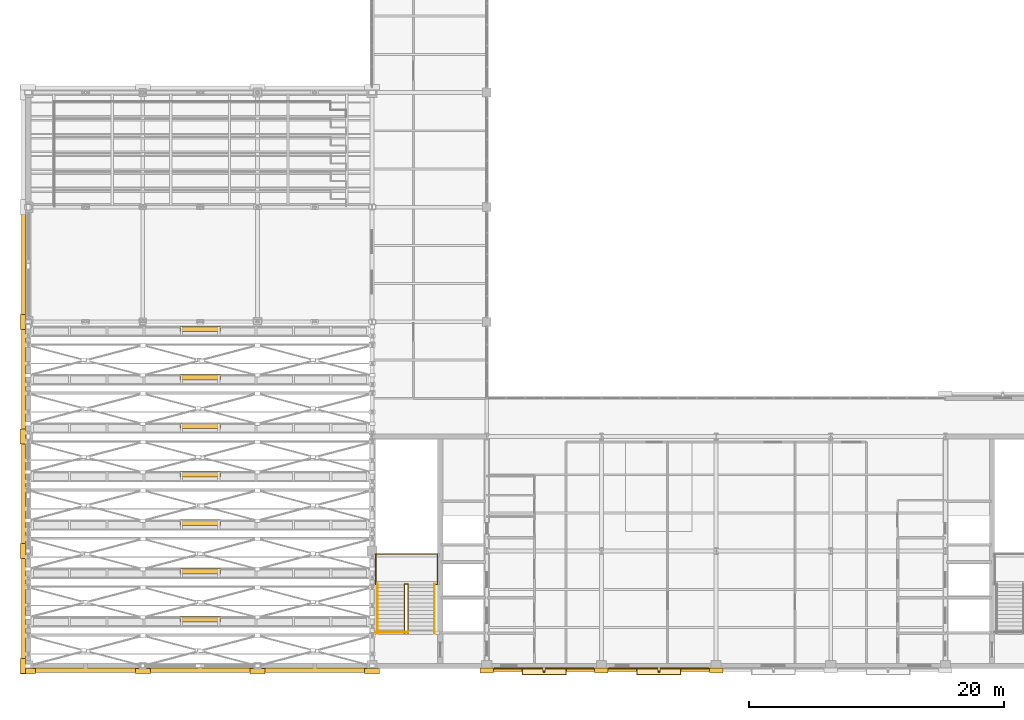
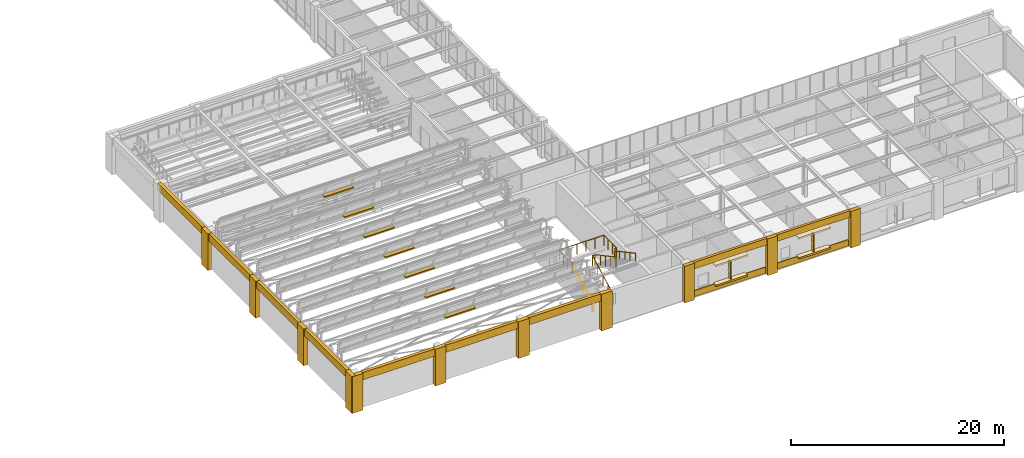
# One storey, part 101 of 108: 26 coverings, 9 shading devices, 5 railings.
"""IFC4 building model written with IfcOpenShell, lengths in metres."""

from ifc_helpers import new_model, si_unit, direction, frame, origin, origin_2d, place, context, subcontext, project, spatial, rectangle, circle, extrude, material, layer, layer_set, type_object, element, save


model = new_model("IFC4")

# Units and contexts
model_context = context("Model", 3, precision=1e-05, world=origin(), true_north=direction((0.0, 1.0)))
body_context = subcontext(model_context, "Body", "Model", "MODEL_VIEW")
ifc_project = project(units=[si_unit("LENGTHUNIT", "METRE"), si_unit("AREAUNIT", "SQUARE_METRE"), si_unit("VOLUMEUNIT", "CUBIC_METRE"), si_unit("PLANEANGLEUNIT", "RADIAN"), si_unit("MASSUNIT", "GRAM", prefix="KILO")], contexts=[model_context])

# Site, building, storey
site_placement = place(None, origin())
site = spatial("IfcSite", under=ifc_project, at=site_placement, CompositionType="ELEMENT")
building_placement = place(site_placement, origin())
building = spatial("IfcBuilding", under=site, at=building_placement, Name="Lykobir Media Centre", CompositionType="ELEMENT")
storey_placement = place(building_placement, frame((0.0, 0.0, 15.0)))
storey = spatial("IfcBuildingStorey", under=building, at=storey_placement, Name="L03", CompositionType="ELEMENT", Elevation=15.0)

# Coverings
ifc_material_1 = material(Name="Glazed Turquoise Terracotta", Category="masonry")
ifc_layer_1 = layer(ifc_material_1, 0.0400390625, Name="Glazed Turquoise Terracotta")
ifc_layer_set_1 = layer_set([ifc_layer_1], Name="Glazed Turquoise Terracotta")
covering_type_1 = type_object("IfcCoveringType", Name="CLD-TERR", PredefinedType="CLADDING", material=ifc_layer_set_1)
for number, where, z_axis, x_axis, name in (
    (1, (40.5, -0.196044921875, 0.080078125), (0.0, 0.0, 1.0), (1.0, 0.0, 0.0), "Facade spandrel apron 474"),
    (2, (49.5, -0.196044921875, 0.080078125), (0.0, 0.0, 1.0), (1.0, 0.0, 0.0), "Facade spandrel apron 479"),
):
    element("IfcCovering", number, at=place(storey_placement, frame(where, z_axis=z_axis, x_axis=x_axis)), inside=storey, type_object=covering_type_1, Name=name, PredefinedType="CLADDING", context=body_context, shape_type="SweptSolid", body=[
        extrude(rectangle(XDim=7.830078125, YDim=0.10009765625, at=origin_2d()), origin(), (0.0, 0.0, 1.0), 0.719970703125),
    ])
ifc_material_2 = material(Name="Honed Travertine Stone", Category="masonry")
ifc_layer_2 = layer(ifc_material_2, 0.050048828125, Name="Honed Travertine Stone")
ifc_layer_set_2 = layer_set([ifc_layer_2], Name="Honed Travertine Stone")
covering_type_2 = type_object("IfcCoveringType", Name="CLD-TRAV", PredefinedType="CLADDING", material=ifc_layer_set_2)
covering_1_placement = place(storey_placement, frame((4.5, -0.360107421875, 3.35986328125), z_axis=(0.0, 0.0, 1.0), x_axis=(1.0, 0.0, 0.0)))
element("IfcCovering", 3, at=covering_1_placement, inside=storey, type_object=covering_type_2, Name="Acoustic hall cornice band 464", PredefinedType="CLADDING", context=body_context, shape_type="SweptSolid", body=[
    extrude(rectangle(XDim=9.0, YDim=0.340087890625, at=origin_2d()), origin(), (0.0, 0.0, 1.0), 0.840087890625),
])
for number, where, z_axis, x_axis, name in (
    (4, (0.0, -0.419921875, 0.0), (0.0, 0.0, 1.0), (1.0, 0.0, 0.0), "Stone pilaster 465"),
    (5, (9.0, -0.419921875, 0.0), (0.0, 0.0, 1.0), (1.0, 0.0, 0.0), "Stone pilaster 466"),
):
    element("IfcCovering", number, at=place(storey_placement, frame(where, z_axis=z_axis, x_axis=x_axis)), inside=storey, type_object=covering_type_2, Name=name, PredefinedType="CLADDING", context=body_context, shape_type="SweptSolid", body=[
        extrude(rectangle(XDim=1.179931640625, YDim=0.43994140625, at=origin_2d()), origin(), (0.0, 0.0, 1.0), 4.199951171875),
    ])
covering_2_placement = place(storey_placement, frame((13.5, -0.360107421875, 3.35986328125), z_axis=(0.0, 0.0, 1.0), x_axis=(1.0, 0.0, 0.0)))
element("IfcCovering", 6, at=covering_2_placement, inside=storey, type_object=covering_type_2, Name="Acoustic hall cornice band 467", PredefinedType="CLADDING", context=body_context, shape_type="SweptSolid", body=[
    extrude(rectangle(XDim=9.0, YDim=0.340087890625, at=origin_2d()), origin(), (0.0, 0.0, 1.0), 0.840087890625),
])
covering_3_placement = place(storey_placement, frame((18.0, -0.419921875, 0.0), z_axis=(0.0, 0.0, 1.0), x_axis=(1.0, 0.0, 0.0)))
element("IfcCovering", 7, at=covering_3_placement, inside=storey, type_object=covering_type_2, Name="Stone pilaster 468", PredefinedType="CLADDING", context=body_context, shape_type="SweptSolid", body=[
    extrude(rectangle(XDim=1.179931640625, YDim=0.43994140625, at=origin_2d()), origin(), (0.0, 0.0, 1.0), 4.199951171875),
])
covering_4_placement = place(storey_placement, frame((22.5, -0.360107421875, 3.35986328125), z_axis=(0.0, 0.0, 1.0), x_axis=(1.0, 0.0, 0.0)))
element("IfcCovering", 8, at=covering_4_placement, inside=storey, type_object=covering_type_2, Name="Acoustic hall cornice band 469", PredefinedType="CLADDING", context=body_context, shape_type="SweptSolid", body=[
    extrude(rectangle(XDim=9.0, YDim=0.340087890625, at=origin_2d()), origin(), (0.0, 0.0, 1.0), 0.840087890625),
])
covering_5_placement = place(storey_placement, frame((27.0, -0.419921875, 0.0), z_axis=(0.0, 0.0, 1.0), x_axis=(1.0, 0.0, 0.0)))
element("IfcCovering", 9, at=covering_5_placement, inside=storey, type_object=covering_type_2, Name="Stone pilaster 470", PredefinedType="CLADDING", context=body_context, shape_type="SweptSolid", body=[
    extrude(rectangle(XDim=1.179931640625, YDim=0.43994140625, at=origin_2d()), origin(), (0.0, 0.0, 1.0), 4.199951171875),
])
for number, where, z_axis, x_axis, name in (
    (10, (36.0, -0.3798828125, 0.0), (0.0, 0.0, 1.0), (1.0, 0.0, 0.0), "Travertine column pier 471"),
    (11, (45.0, -0.3798828125, 0.0), (0.0, 0.0, 1.0), (1.0, 0.0, 0.0), "Travertine column pier 472"),
):
    element("IfcCovering", number, at=place(storey_placement, frame(where, z_axis=z_axis, x_axis=x_axis)), inside=storey, type_object=covering_type_2, Name=name, PredefinedType="CLADDING", context=body_context, shape_type="SweptSolid", body=[
        extrude(rectangle(XDim=1.06005859375, YDim=0.39990234375, at=origin_2d()), origin(), (0.0, 0.0, 1.0), 4.199951171875),
    ])
covering_6_placement = place(storey_placement, frame((40.5, -0.300048828125, 3.43994140625), z_axis=(0.0, 0.0, 1.0), x_axis=(1.0, 0.0, 0.0)))
element("IfcCovering", 12, at=covering_6_placement, inside=storey, type_object=covering_type_2, Name="Travertine spandrel stringcourse 473", PredefinedType="CLADDING", context=body_context, shape_type="SweptSolid", body=[
    extrude(rectangle(XDim=9.0, YDim=0.280029296875, at=origin_2d()), origin(), (0.0, 0.0, 1.0), 0.760009765625),
])
covering_7_placement = place(storey_placement, frame((40.5, -0.429931640625, 0.77001953125), z_axis=(0.0, 0.0, 1.0), x_axis=(1.0, 0.0, 0.0)))
element("IfcCovering", 13, at=covering_7_placement, inside=storey, type_object=covering_type_2, Name="Ottoman Cumba sill 475", PredefinedType="CLADDING", context=body_context, shape_type="SweptSolid", body=[
    extrude(rectangle(XDim=3.39990234375, YDim=0.52001953125, at=origin_2d()), origin(), (0.0, 0.0, 1.0), 0.179931640625),
])
covering_8_placement = place(storey_placement, frame((40.5, -0.429931640625, 3.08984375), z_axis=(0.0, 0.0, 1.0), x_axis=(1.0, 0.0, 0.0)))
element("IfcCovering", 14, at=covering_8_placement, inside=storey, type_object=covering_type_2, Name="Ottoman Cumba canopy 476", PredefinedType="CLADDING", context=body_context, shape_type="SweptSolid", body=[
    extrude(rectangle(XDim=3.5, YDim=0.60009765625, at=origin_2d()), origin(), (0.0, 0.0, 1.0), 0.179931640625),
])
covering_9_placement = place(storey_placement, frame((54.0, -0.3798828125, 0.0), z_axis=(0.0, 0.0, 1.0), x_axis=(1.0, 0.0, 0.0)))
element("IfcCovering", 15, at=covering_9_placement, inside=storey, type_object=covering_type_2, Name="Travertine column pier 477", PredefinedType="CLADDING", context=body_context, shape_type="SweptSolid", body=[
    extrude(rectangle(XDim=1.06005859375, YDim=0.39990234375, at=origin_2d()), origin(), (0.0, 0.0, 1.0), 4.199951171875),
])
covering_10_placement = place(storey_placement, frame((49.5, -0.300048828125, 3.43994140625), z_axis=(0.0, 0.0, 1.0), x_axis=(1.0, 0.0, 0.0)))
element("IfcCovering", 16, at=covering_10_placement, inside=storey, type_object=covering_type_2, Name="Travertine spandrel stringcourse 478", PredefinedType="CLADDING", context=body_context, shape_type="SweptSolid", body=[
    extrude(rectangle(XDim=9.0, YDim=0.280029296875, at=origin_2d()), origin(), (0.0, 0.0, 1.0), 0.760009765625),
])
covering_11_placement = place(storey_placement, frame((49.5, -0.429931640625, 0.77001953125), z_axis=(0.0, 0.0, 1.0), x_axis=(1.0, 0.0, 0.0)))
element("IfcCovering", 17, at=covering_11_placement, inside=storey, type_object=covering_type_2, Name="Ottoman Cumba sill 480", PredefinedType="CLADDING", context=body_context, shape_type="SweptSolid", body=[
    extrude(rectangle(XDim=3.39990234375, YDim=0.52001953125, at=origin_2d()), origin(), (0.0, 0.0, 1.0), 0.179931640625),
])
covering_12_placement = place(storey_placement, frame((49.5, -0.429931640625, 3.08984375), z_axis=(0.0, 0.0, 1.0), x_axis=(1.0, 0.0, 0.0)))
element("IfcCovering", 18, at=covering_12_placement, inside=storey, type_object=covering_type_2, Name="Ottoman Cumba canopy 481", PredefinedType="CLADDING", context=body_context, shape_type="SweptSolid", body=[
    extrude(rectangle(XDim=3.5, YDim=0.60009765625, at=origin_2d()), origin(), (0.0, 0.0, 1.0), 0.179931640625),
])
covering_13_placement = place(storey_placement, frame((-0.360107421875, 31.5, 3.35986328125), z_axis=(0.0, 0.0, 1.0), x_axis=(0.0, -1.0, 0.0)))
element("IfcCovering", 19, at=covering_13_placement, inside=storey, type_object=covering_type_2, Name="Acoustic hall cornice band 520", PredefinedType="CLADDING", context=body_context, shape_type="SweptSolid", body=[
    extrude(rectangle(XDim=9.0, YDim=0.340087890625, at=origin_2d()), origin(), (0.0, 0.0, 1.0), 0.840087890625),
])
covering_14_placement = place(storey_placement, frame((-0.419921875, 27.0, 0.0), z_axis=(0.0, 0.0, 1.0), x_axis=(0.0, -1.0, 0.0)))
element("IfcCovering", 20, at=covering_14_placement, inside=storey, type_object=covering_type_2, Name="Stone pilaster 522", PredefinedType="CLADDING", context=body_context, shape_type="SweptSolid", body=[
    extrude(rectangle(XDim=1.179931640625, YDim=0.43994140625, at=origin_2d()), origin(), (0.0, 0.0, 1.0), 4.199951171875),
])
covering_15_placement = place(storey_placement, frame((-0.360107421875, 4.5, 3.35986328125), z_axis=(0.0, 0.0, 1.0), x_axis=(0.0, -1.0, 0.0)))
element("IfcCovering", 21, at=covering_15_placement, inside=storey, type_object=covering_type_2, Name="Acoustic hall cornice band 525", PredefinedType="CLADDING", context=body_context, shape_type="SweptSolid", body=[
    extrude(rectangle(XDim=9.0, YDim=0.340087890625, at=origin_2d()), origin(), (0.0, 0.0, 1.0), 0.840087890625),
])
for number, where, z_axis, x_axis, name in (
    (22, (-0.419921875, 9.0, 0.0), (0.0, 0.0, 1.0), (0.0, -1.0, 0.0), "Stone pilaster 526"),
    (23, (-0.419921875, 0.0, 0.0), (0.0, 0.0, 1.0), (0.0, -1.0, 0.0), "Stone pilaster 527"),
):
    element("IfcCovering", number, at=place(storey_placement, frame(where, z_axis=z_axis, x_axis=x_axis)), inside=storey, type_object=covering_type_2, Name=name, PredefinedType="CLADDING", context=body_context, shape_type="SweptSolid", body=[
        extrude(rectangle(XDim=1.179931640625, YDim=0.43994140625, at=origin_2d()), origin(), (0.0, 0.0, 1.0), 4.199951171875),
    ])
covering_16_placement = place(storey_placement, frame((-0.360107421875, 13.5, 3.35986328125), z_axis=(0.0, 0.0, 1.0), x_axis=(0.0, -1.0, 0.0)))
element("IfcCovering", 24, at=covering_16_placement, inside=storey, type_object=covering_type_2, Name="Acoustic hall cornice band 528", PredefinedType="CLADDING", context=body_context, shape_type="SweptSolid", body=[
    extrude(rectangle(XDim=9.0, YDim=0.340087890625, at=origin_2d()), origin(), (0.0, 0.0, 1.0), 0.840087890625),
])
covering_17_placement = place(storey_placement, frame((-0.419921875, 18.0, 0.0), z_axis=(0.0, 0.0, 1.0), x_axis=(0.0, -1.0, 0.0)))
element("IfcCovering", 25, at=covering_17_placement, inside=storey, type_object=covering_type_2, Name="Stone pilaster 529", PredefinedType="CLADDING", context=body_context, shape_type="SweptSolid", body=[
    extrude(rectangle(XDim=1.179931640625, YDim=0.43994140625, at=origin_2d()), origin(), (0.0, 0.0, 1.0), 4.199951171875),
])
covering_18_placement = place(storey_placement, frame((-0.360107421875, 22.5, 3.35986328125), z_axis=(0.0, 0.0, 1.0), x_axis=(0.0, -1.0, 0.0)))
element("IfcCovering", 26, at=covering_18_placement, inside=storey, type_object=covering_type_2, Name="Acoustic hall cornice band 530", PredefinedType="CLADDING", context=body_context, shape_type="SweptSolid", body=[
    extrude(rectangle(XDim=9.0, YDim=0.340087890625, at=origin_2d()), origin(), (0.0, 0.0, 1.0), 0.840087890625),
])

# Railings
ifc_material_3 = material(Name="Steel S355", Category="steel")
railing_type_1 = type_object("IfcRailingType", Name="GR-1200", PredefinedType="BALUSTRADE", material=ifc_material_3)
railing_1_placement = place(storey_placement, frame((27.27001953125, 2.6298828125, 0.0)))
element("IfcRailing", 27, at=railing_1_placement, inside=storey, type_object=railing_type_1, Name="ST-1 L03 arrival well guard", PredefinedType="BALUSTRADE", context=body_context, shape_type="SweptSolid", body=[
    extrude(circle(Radius=0.02392578125, at=origin_2d()), frame((0.0, 0.0, 1.17578125), z_axis=(1.0, 0.0, 0.0), x_axis=(0.0, 1.0, 0.0)), (0.0, 0.0, 1.0), 2.5400390625),
    extrude(circle(Radius=0.02099609375, at=origin_2d()), origin(), (0.0, 0.0, 1.0), 1.15185546875),
    extrude(circle(Radius=0.02099609375, at=origin_2d()), frame((0.8466796875, 0.0, 0.0)), (0.0, 0.0, 1.0), 1.15185546875),
    extrude(circle(Radius=0.02099609375, at=origin_2d()), frame((1.693359375, 0.0, 0.0)), (0.0, 0.0, 1.0), 1.15185546875),
    extrude(circle(Radius=0.02099609375, at=origin_2d()), frame((2.5400390625, 0.0, 0.0)), (0.0, 0.0, 1.0), 1.15185546875),
])
railing_2_placement = place(storey_placement, frame((29.530029296875, 2.530029296875, 0.0)))
element("IfcRailing", 28, at=railing_2_placement, inside=storey, type_object=railing_type_1, Name="ST-1 L03 inner well and slot guard", PredefinedType="BALUSTRADE", context=body_context, shape_type="SweptSolid", body=[
    extrude(circle(Radius=0.02392578125, at=origin_2d()), frame((0.0, 0.0, 1.17578125), z_axis=(0.0, 0.880456940745, 0.474126117709), x_axis=(-1.0, 0.0, 0.0)), (0.0, 0.0, 1.0), 4.429443359375),
    extrude(circle(Radius=0.02392578125, at=origin_2d()), frame((0.0, 3.89990234375, 3.27587890625), z_axis=(1.0, 0.0, 0.0), x_axis=(0.0, 1.0, 0.0)), (0.0, 0.0, 1.0), 0.280029296875),
    extrude(circle(Radius=0.02392578125, at=origin_2d()), frame((0.280029296875, 3.89990234375, 3.27587890625), z_axis=(0.0, -0.88047994924, 0.474083388219), x_axis=(1.0, 0.0, 0.0)), (0.0, 0.0, 1.0), 4.42919921875),
    extrude(circle(Radius=0.02099609375, at=origin_2d()), origin(), (0.0, 0.0, 1.0), 1.15185546875),
    extrude(circle(Radius=0.02099609375, at=origin_2d()), frame((0.0, 0.97509765625, 0.52490234375)), (0.0, 0.0, 1.0), 1.15185546875),
    extrude(circle(Radius=0.02099609375, at=origin_2d()), frame((0.0, 1.949951171875, 1.050048828125)), (0.0, 0.0, 1.0), 1.15185546875),
    extrude(circle(Radius=0.02099609375, at=origin_2d()), frame((0.0, 2.9248046875, 1.5751953125)), (0.0, 0.0, 1.0), 1.15185546875),
    extrude(circle(Radius=0.02099609375, at=origin_2d()), frame((0.0, 3.89990234375, 2.10009765625)), (0.0, 0.0, 1.0), 1.15185546875),
    extrude(circle(Radius=0.02099609375, at=origin_2d()), frame((0.280029296875, 3.89990234375, 2.10009765625)), (0.0, 0.0, 1.0), 1.15185546875),
    extrude(circle(Radius=0.02099609375, at=origin_2d()), frame((0.280029296875, 2.9248046875, 2.625)), (0.0, 0.0, 1.0), 1.15185546875),
    extrude(circle(Radius=0.02099609375, at=origin_2d()), frame((0.280029296875, 1.949951171875, 3.14990234375)), (0.0, 0.0, 1.0), 1.15185546875),
    extrude(circle(Radius=0.02099609375, at=origin_2d()), frame((0.280029296875, 0.97509765625, 3.675048828125)), (0.0, 0.0, 1.0), 1.15185546875),
    extrude(circle(Radius=0.02099609375, at=origin_2d()), frame((0.280029296875, 0.0, 4.199951171875)), (0.0, 0.0, 1.0), 1.15185546875),
])
railing_3_placement = place(storey_placement, frame((27.389892578125, 6.389892578125, 2.10009765625)))
element("IfcRailing", 29, at=railing_3_placement, inside=storey, type_object=railing_type_1, Name="ST-1 L03 half-landing perimeter guard", PredefinedType="BALUSTRADE", context=body_context, shape_type="SweptSolid", body=[
    extrude(circle(Radius=0.02392578125, at=origin_2d()), frame((0.0, 0.0, 1.17578125), z_axis=(-1.0, 0.0, 0.0), x_axis=(0.0, -1.0, 0.0)), (0.0, 0.0, 1.0), 0.10986328125),
    extrude(circle(Radius=0.02392578125, at=origin_2d()), frame((-0.10986328125, 0.0, 1.17578125), z_axis=(0.0, 1.0, 0.0), x_axis=(-1.0, 0.0, 0.0)), (0.0, 0.0, 1.0), 2.400146484375),
    extrude(circle(Radius=0.02392578125, at=origin_2d()), frame((-0.10986328125, 2.400146484375, 1.17578125), z_axis=(1.0, 0.0, 0.0), x_axis=(0.0, 1.0, 0.0)), (0.0, 0.0, 1.0), 4.840087890625),
    extrude(circle(Radius=0.02392578125, at=origin_2d()), frame((4.730224609375, 2.400146484375, 1.17578125), z_axis=(0.0, -1.0, 0.0), x_axis=(1.0, 0.0, 0.0)), (0.0, 0.0, 1.0), 2.400146484375),
    extrude(circle(Radius=0.02392578125, at=origin_2d()), frame((4.730224609375, 0.0, 1.17578125), z_axis=(-1.0, 0.0, 0.0), x_axis=(0.0, -1.0, 0.0)), (0.0, 0.0, 1.0), 0.170166015625),
    extrude(circle(Radius=0.02099609375, at=origin_2d()), origin(), (0.0, 0.0, 1.0), 1.15185546875),
    extrude(circle(Radius=0.02099609375, at=origin_2d()), frame((-0.10986328125, 0.0, 0.0)), (0.0, 0.0, 1.0), 1.15185546875),
    extrude(circle(Radius=0.02099609375, at=origin_2d()), frame((-0.10986328125, 0.800048828125, 0.0)), (0.0, 0.0, 1.0), 1.15185546875),
    extrude(circle(Radius=0.02099609375, at=origin_2d()), frame((-0.10986328125, 1.60009765625, 0.0)), (0.0, 0.0, 1.0), 1.15185546875),
    extrude(circle(Radius=0.02099609375, at=origin_2d()), frame((-0.10986328125, 2.400146484375, 0.0)), (0.0, 0.0, 1.0), 1.15185546875),
    extrude(circle(Radius=0.02099609375, at=origin_2d()), frame((0.858154296875, 2.400146484375, 0.0)), (0.0, 0.0, 1.0), 1.15185546875),
    extrude(circle(Radius=0.02099609375, at=origin_2d()), frame((1.826171875, 2.400146484375, 0.0)), (0.0, 0.0, 1.0), 1.15185546875),
    extrude(circle(Radius=0.02099609375, at=origin_2d()), frame((2.794189453125, 2.400146484375, 0.0)), (0.0, 0.0, 1.0), 1.15185546875),
    extrude(circle(Radius=0.02099609375, at=origin_2d()), frame((3.76220703125, 2.400146484375, 0.0)), (0.0, 0.0, 1.0), 1.15185546875),
    extrude(circle(Radius=0.02099609375, at=origin_2d()), frame((4.730224609375, 2.400146484375, 0.0)), (0.0, 0.0, 1.0), 1.15185546875),
    extrude(circle(Radius=0.02099609375, at=origin_2d()), frame((4.730224609375, 1.60009765625, 0.0)), (0.0, 0.0, 1.0), 1.15185546875),
    extrude(circle(Radius=0.02099609375, at=origin_2d()), frame((4.730224609375, 0.800048828125, 0.0)), (0.0, 0.0, 1.0), 1.15185546875),
    extrude(circle(Radius=0.02099609375, at=origin_2d()), frame((4.730224609375, 0.0, 0.0)), (0.0, 0.0, 1.0), 1.15185546875),
    extrude(circle(Radius=0.02099609375, at=origin_2d()), frame((4.56005859375, 0.0, 0.0)), (0.0, 0.0, 1.0), 1.15185546875),
])
railing_type_2 = type_object("IfcRailingType", Name="HR-0900", PredefinedType="HANDRAIL", material=ifc_material_3)
railing_4_placement = place(storey_placement, frame((27.429931640625, 2.530029296875, 0.0)))
element("IfcRailing", 30, at=railing_4_placement, inside=storey, type_object=railing_type_2, Name="ST-1 L03 F1 wall handrail", PredefinedType="HANDRAIL", context=body_context, shape_type="SweptSolid", body=[
    extrude(circle(Radius=0.02392578125, at=origin_2d()), frame((0.0, 0.0, 0.8759765625), z_axis=(0.0, 0.880456940745, 0.474126117709), x_axis=(-1.0, 0.0, 0.0)), (0.0, 0.0, 1.0), 4.429443359375),
    extrude(circle(Radius=0.02099609375, at=origin_2d()), origin(), (0.0, 0.0, 1.0), 0.851806640625),
    extrude(circle(Radius=0.02099609375, at=origin_2d()), frame((0.0, 0.97509765625, 0.52490234375)), (0.0, 0.0, 1.0), 0.851806640625),
    extrude(circle(Radius=0.02099609375, at=origin_2d()), frame((0.0, 1.949951171875, 1.050048828125)), (0.0, 0.0, 1.0), 0.851806640625),
    extrude(circle(Radius=0.02099609375, at=origin_2d()), frame((0.0, 2.9248046875, 1.5751953125)), (0.0, 0.0, 1.0), 0.851806640625),
    extrude(circle(Radius=0.02099609375, at=origin_2d()), frame((0.0, 3.89990234375, 2.10009765625)), (0.0, 0.0, 1.0), 0.851806640625),
])
railing_5_placement = place(storey_placement, frame((31.909912109375, 6.429931640625, 2.10009765625)))
element("IfcRailing", 31, at=railing_5_placement, inside=storey, type_object=railing_type_2, Name="ST-1 L03 F2 wall handrail", PredefinedType="HANDRAIL", context=body_context, shape_type="SweptSolid", body=[
    extrude(circle(Radius=0.02392578125, at=origin_2d()), frame((0.0, 0.0, 0.8759765625), z_axis=(0.0, -0.88047994924, 0.474083388219), x_axis=(1.0, 0.0, 0.0)), (0.0, 0.0, 1.0), 4.42919921875),
    extrude(circle(Radius=0.02099609375, at=origin_2d()), origin(), (0.0, 0.0, 1.0), 0.851806640625),
    extrude(circle(Radius=0.02099609375, at=origin_2d()), frame((0.0, -0.97509765625, 0.52490234375)), (0.0, 0.0, 1.0), 0.851806640625),
    extrude(circle(Radius=0.02099609375, at=origin_2d()), frame((0.0, -1.949951171875, 1.0498046875)), (0.0, 0.0, 1.0), 0.851806640625),
    extrude(circle(Radius=0.02099609375, at=origin_2d()), frame((0.0, -2.9248046875, 1.574951171875)), (0.0, 0.0, 1.0), 0.851806640625),
    extrude(circle(Radius=0.02099609375, at=origin_2d()), frame((0.0, -3.89990234375, 2.099853515625)), (0.0, 0.0, 1.0), 0.851806640625),
])

# Shading devices
shading_device_type_1 = type_object("IfcShadingDeviceType", Name="SHD-FIN", PredefinedType="USERDEFINED", material=ifc_material_1)
for number, where, z_axis, x_axis, name in (
    (32, (40.5, -0.35009765625, 0.72509765625), (0.0, 0.0, 1.0), (1.0, 0.0, 0.0), "Terracotta shading fin 26"),
    (33, (49.5, -0.35009765625, 0.72509765625), (0.0, 0.0, 1.0), (1.0, 0.0, 0.0), "Terracotta shading fin 27"),
):
    element("IfcShadingDevice", number, at=place(storey_placement, frame(where, z_axis=z_axis, x_axis=x_axis)), inside=storey, type_object=shading_device_type_1, Name=name, ObjectType="FIN", PredefinedType="USERDEFINED", context=body_context, shape_type="SweptSolid", body=[
        extrude(rectangle(XDim=0.1201171875, YDim=0.35009765625, at=origin_2d()), origin(), (0.0, 0.0, 1.0), 2.25),
    ])
ifc_material_4 = material(Name="Anodized Aluminium AW-6060", Category="aluminium")
shading_device_type_2 = type_object("IfcShadingDeviceType", Name="SHD-LOUV", PredefinedType="JALOUSIE", material=ifc_material_4)
for number, where, z_axis, x_axis, name in (
    (34, (13.5, 3.64990234375, 4.06005859375), (0.0, 0.0, 1.0), (1.0, 0.0, 0.0), "V1 sawtooth solar louvre 1"),
    (35, (13.5, 7.449951171875, 4.06005859375), (0.0, 0.0, 1.0), (1.0, 0.0, 0.0), "V1 sawtooth solar louvre 2"),
    (36, (13.5, 11.25, 4.06005859375), (0.0, 0.0, 1.0), (1.0, 0.0, 0.0), "V1 sawtooth solar louvre 3"),
    (37, (13.5, 15.050048828125, 4.06005859375), (0.0, 0.0, 1.0), (1.0, 0.0, 0.0), "V1 sawtooth solar louvre 4"),
    (38, (13.5, 18.85009765625, 4.06005859375), (0.0, 0.0, 1.0), (1.0, 0.0, 0.0), "V1 sawtooth solar louvre 5"),
    (39, (13.5, 22.64990234375, 4.06005859375), (0.0, 0.0, 1.0), (1.0, 0.0, 0.0), "V1 sawtooth solar louvre 6"),
    (40, (13.5, 26.449951171875, 4.06005859375), (0.0, 0.0, 1.0), (1.0, 0.0, 0.0), "V1 sawtooth solar louvre 7"),
):
    element("IfcShadingDevice", number, at=place(storey_placement, frame(where, z_axis=z_axis, x_axis=x_axis)), inside=storey, type_object=shading_device_type_2, Name=name, PredefinedType="JALOUSIE", context=body_context, shape_type="SweptSolid", body=[
        extrude(rectangle(XDim=3.199951171875, YDim=0.449951171875, at=origin_2d()), origin(), (0.0, 0.0, 1.0), 0.1201171875),
    ])

save(model, "model.ifc")
